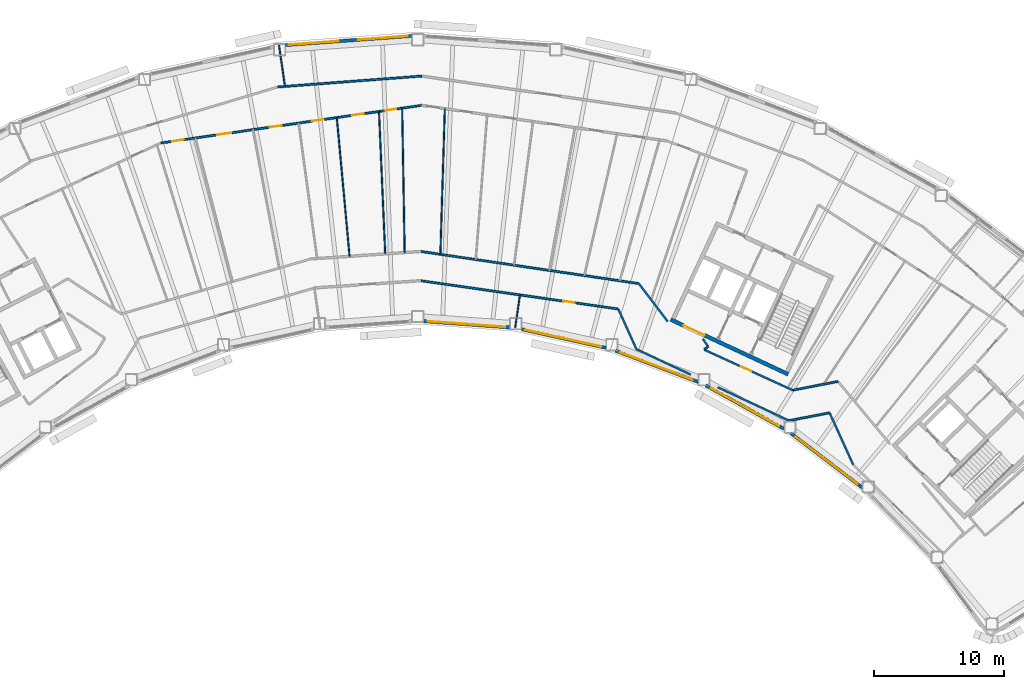
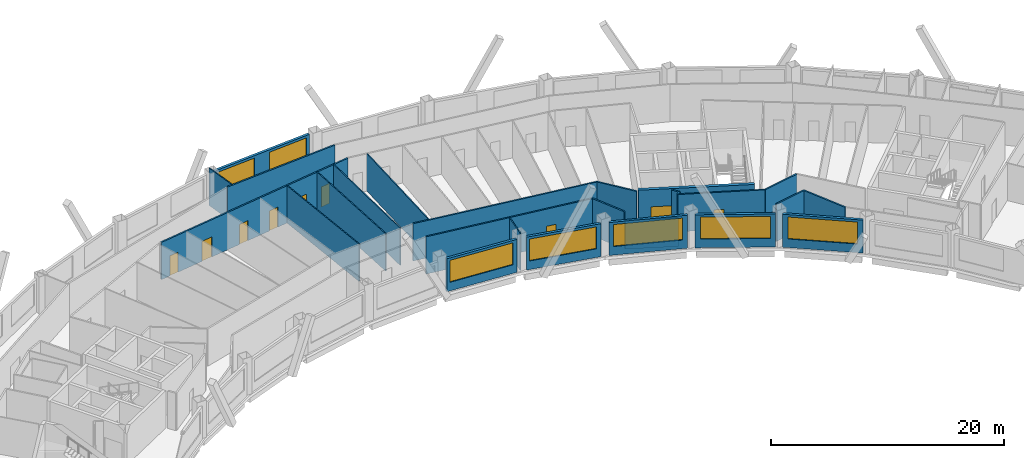
# One storey, part 8 of 15: 27 walls, 9 doors, 7 windows, 16 openings.
"""IFC4 building model written with IfcOpenShell, lengths in metres."""

import ifcopenshell
import ifcopenshell.guid

model = None  # the IFC model being written
_history = None  # IfcOwnerHistory: only IFC2X3 demands one
_inside = {}  # id of a spatial element -> (the spatial element, [elements in it])
_under = {}  # id of a project, library or spatial element -> (it, [spatial elements below it])
_declared = {}  # id of a project -> (the project, [libraries it declares])
_typed = {}  # id of a type object -> (the type object, [elements of that type])
_made_of = {}  # id of a material, layer set ... -> (it, [elements and type objects made of it])


def new_model(schema):
    """Start an empty IFC model of exactly this schema.

    Asked for "IFC4X3", IfcOpenShell would pick the latest addendum, in which some entities
    have other attributes; the version numbers below select the first issue.
    IFC2X3 requires an IfcOwnerHistory on every rooted entity: one is made here for all.
    """
    global model, _history
    if schema == "IFC4X3":
        model = ifcopenshell.file(schema_version=(4, 3, 0, 0))
    else:
        model = ifcopenshell.file(schema=schema)
    _inside.clear()
    _under.clear()
    _declared.clear()
    _typed.clear()
    _made_of.clear()
    _history = None
    if model.schema == "IFC2X3":
        org = make("IfcOrganization", Name="unknown")
        user = make(
            "IfcPersonAndOrganization",
            ThePerson=make("IfcPerson", FamilyName="unknown"),
            TheOrganization=org,
        )
        app = make(
            "IfcApplication",
            ApplicationDeveloper=org,
            Version="unknown",
            ApplicationFullName="unknown",
            ApplicationIdentifier="unknown",
        )
        _history = make(
            "IfcOwnerHistory",
            OwningUser=user,
            OwningApplication=app,
            ChangeAction="ADDED",
            CreationDate=0,
        )
    return model


def make(cls, **values):
    """One entity of the class cls with the attributes given. An attribute that is None is left unset."""
    return model.create_entity(
        cls, **{name: value for name, value in values.items() if value is not None}
    )


def rooted(cls, **values):
    """An entity with a GlobalId (a new one), such as an element, a storey or a relation."""
    return make(cls, GlobalId=ifcopenshell.guid.new(), OwnerHistory=_history, **values)


def si_unit(unit_type, name, prefix=None):
    """IfcSIUnit, for example si_unit("LENGTHUNIT", "METRE", prefix="MILLI")."""
    return make("IfcSIUnit", UnitType=unit_type, Prefix=prefix, Name=name)


def assignment(units):
    """IfcUnitAssignment: the units of a project."""
    return None if units is None else make("IfcUnitAssignment", Units=units)


def point(xyz):
    """IfcCartesianPoint."""
    return None if xyz is None else make("IfcCartesianPoint", Coordinates=xyz)


def direction(xyz):
    """IfcDirection."""
    return None if xyz is None else make("IfcDirection", DirectionRatios=xyz)


def frame(location, z_axis=None, x_axis=None):
    """IfcAxis2Placement3D, a coordinate frame: its origin and axes. An axis left out is left unset."""
    return make(
        "IfcAxis2Placement3D",
        Location=point(location),
        Axis=direction(z_axis),
        RefDirection=direction(x_axis),
    )


def frame_2d(location, x_axis=None):
    """IfcAxis2Placement2D, a coordinate frame in the plane: its origin and x axis."""
    return make(
        "IfcAxis2Placement2D", Location=point(location), RefDirection=direction(x_axis)
    )


def origin():
    """The frame at (0, 0, 0) with its axes left unset."""
    return frame((0.0, 0.0, 0.0))


def place(relative_to, where):
    """IfcLocalPlacement: puts the frame where relative to a parent placement (None: the world)."""
    return make(
        "IfcLocalPlacement", PlacementRelTo=relative_to, RelativePlacement=where
    )


def context(
    kind, dimensions, precision=None, world=None, true_north=None, identifier=None
):
    """IfcGeometricRepresentationContext, for example the 3D "Model" context."""
    return make(
        "IfcGeometricRepresentationContext",
        ContextIdentifier=identifier,
        ContextType=kind,
        CoordinateSpaceDimension=dimensions,
        Precision=precision,
        WorldCoordinateSystem=world,
        TrueNorth=true_north,
    )


def subcontext(parent, identifier, kind, view, scale=None):
    """IfcGeometricRepresentationSubContext, for example "Body" below "Model"."""
    return make(
        "IfcGeometricRepresentationSubContext",
        ContextIdentifier=identifier,
        ContextType=kind,
        ParentContext=parent,
        TargetScale=scale,
        TargetView=view,
    )


def project(units=None, contexts=None):
    """IfcProject with its units and contexts."""
    return rooted(
        "IfcProject",
        Name="project",
        RepresentationContexts=contexts,
        UnitsInContext=assignment(units),
    )


def spatial(cls, under=None, at=None, **own):
    """A site, building, storey or space (cls), placed at a placement, below another one or the project."""
    s = rooted(cls, ObjectPlacement=at, **own)
    if under is not None:
        _under.setdefault(under.id(), (under, []))[1].append(s)
    return s


def profile(cls, at=None, kind="AREA", **sizes):
    """A parametric profile (cls). Its sizes go by their IFC names, for example OverallWidth=200.0."""
    return make(cls, ProfileType=kind, Position=at, **sizes)


def rectangle(**sizes):
    """IfcRectangleProfileDef."""
    return profile("IfcRectangleProfileDef", **sizes)


def extrude(swept, where, along, depth):
    """IfcExtrudedAreaSolid: the profile swept, set in the frame where, extruded along a direction by depth."""
    return make(
        "IfcExtrudedAreaSolid",
        SweptArea=swept,
        Position=where,
        ExtrudedDirection=direction(along),
        Depth=depth,
    )


def shape(context_of_items, identifier, shape_type, items):
    """IfcShapeRepresentation: the items that make up one representation, for example the "Body"."""
    return make(
        "IfcShapeRepresentation",
        ContextOfItems=context_of_items,
        RepresentationIdentifier=identifier,
        RepresentationType=shape_type,
        Items=items,
    )


def material(Name=None, Category=None):
    """IfcMaterial."""
    return make("IfcMaterial", Name=Name, Category=Category)


def layer(
    of_material, thickness, ventilated=None, Name=None, Category=None, Priority=None
):
    """IfcMaterialLayer: one layer of a wall or slab, of a material (None: an air gap)."""
    return make(
        "IfcMaterialLayer",
        Material=of_material,
        LayerThickness=thickness,
        IsVentilated=ventilated,
        Name=Name,
        Category=Category,
        Priority=Priority,
    )


def layer_set(layers, Name=None):
    """IfcMaterialLayerSet."""
    return make("IfcMaterialLayerSet", MaterialLayers=layers, LayerSetName=Name)


def made_of(thing, what):
    """Note that an element or type object is made of a material, layer set ...; save() writes the relation."""
    if what is not None:
        _made_of.setdefault(what.id(), (what, []))[1].append(thing)
    return thing


def type_object(cls, material=None, **own):
    """A type object (cls), such as IfcWallType, which elements share."""
    return made_of(rooted(cls, **own), material)


def element(
    cls,
    number,
    at=None,
    inside=None,
    cuts=None,
    type_object=None,
    material=None,
    context=None,
    identifier="Body",
    shape_type=None,
    held_by="IfcProductDefinitionShape",
    body=None,
    shapes=None,
    **own,
):
    """One element of the class cls, such as IfcWall. Its Tag is "e" and its number.

    at: its placement. inside: the storey or other place that contains it. cuts: it is an
    opening in that element (IfcRelVoidsElement). A single representation is given by context,
    identifier, shape_type and body (its items); several are given by shapes. held_by: the class
    of the entity that holds the representations. save() writes the other relations.
    """
    e = rooted(cls, Tag="e%d" % number, ObjectPlacement=at, **own)
    if body is not None:
        shapes = [shape(context, identifier, shape_type, body)]
    if shapes is not None:
        e.Representation = make(held_by, Representations=shapes)
    if inside is not None:
        _inside.setdefault(inside.id(), (inside, []))[1].append(e)
    if cuts is not None:
        rooted(
            "IfcRelVoidsElement", RelatingBuildingElement=cuts, RelatedOpeningElement=e
        )
    if type_object is not None:
        _typed.setdefault(type_object.id(), (type_object, []))[1].append(e)
    return made_of(e, material)


def fill(opening, filler):
    """IfcRelFillsElement: the door or window that sits in an opening."""
    return rooted(
        "IfcRelFillsElement",
        RelatingOpeningElement=opening,
        RelatedBuildingElement=filler,
    )


def aggregate(whole, parts):
    """IfcRelAggregates: a whole, such as a stair, and the parts it consists of."""
    return rooted("IfcRelAggregates", RelatingObject=whole, RelatedObjects=parts)


def save(model, path):
    """Write the relations noted so far, then the file.

    IfcRelAggregates (storeys below a building ...), IfcRelContainedInSpatialStructure (elements
    in a storey), IfcRelDefinesByType, IfcRelAssociatesMaterial and IfcRelDeclares: one each for
    every whole, place, type object, material and project.
    """
    for whole, parts in _under.values():
        aggregate(whole, parts)
    for where, things in _inside.values():
        rooted(
            "IfcRelContainedInSpatialStructure",
            RelatedElements=things,
            RelatingStructure=where,
        )
    for kind, things in _typed.values():
        rooted("IfcRelDefinesByType", RelatedObjects=things, RelatingType=kind)
    for what, things in _made_of.values():
        rooted("IfcRelAssociatesMaterial", RelatedObjects=things, RelatingMaterial=what)
    for by, libraries in _declared.values():
        rooted("IfcRelDeclares", RelatingContext=by, RelatedDefinitions=libraries)
    model.write(path)


model = new_model("IFC4")

# Units and contexts
model_context = context("Model", 3, precision=1e-05, world=origin(), true_north=direction((0.0, 1.0)))
body_context = subcontext(model_context, "Body", "Model", "MODEL_VIEW")
ifc_project = project(units=[si_unit("LENGTHUNIT", "METRE"), si_unit("AREAUNIT", "SQUARE_METRE"), si_unit("VOLUMEUNIT", "CUBIC_METRE"), si_unit("PLANEANGLEUNIT", "RADIAN"), si_unit("MASSUNIT", "GRAM", prefix="KILO")], contexts=[model_context])

# Site, building, storey
site_placement = place(None, origin())
site = spatial("IfcSite", under=ifc_project, at=site_placement, CompositionType="ELEMENT")
building_placement = place(site_placement, origin())
building = spatial("IfcBuilding", under=site, at=building_placement, Name="Tuul Gate Civic Tower", CompositionType="ELEMENT")
storey_placement = place(building_placement, frame((0.0, 0.0, 226.300048828125)))
storey = spatial("IfcBuildingStorey", under=building, at=storey_placement, Name="Level 51", CompositionType="ELEMENT", Elevation=226.300048828125)

# Wall, opening, door
ifc_material_1 = material(Name="Concrete C50/60", Category="concrete")
ifc_layer_1 = layer(ifc_material_1, 0.300048828125)
ifc_layer_set_1 = layer_set([ifc_layer_1], Name="Concrete C50/60")
wall_type_1 = type_object("IfcWallType", Name="Core wall C50/60", PredefinedType="SHEAR", material=ifc_layer_set_1)
wall_1_placement = place(storey_placement, frame((34.5283203125, -7.25, 0.0), z_axis=(0.0, 0.0, 1.0), x_axis=(-0.906310338845, 0.422612789327, 0.0)))
wall_1 = element("IfcWall", 1, at=wall_1_placement, inside=storey, type_object=wall_type_1, Name="Core wall", PredefinedType="SHEAR", context=body_context, shape_type="SweptSolid", body=[
    extrude(rectangle(XDim=9.999755859375, YDim=0.300048828125, at=frame_2d((5.0, 0.0))), origin(), (0.0, 0.0, 1.0), 3.89990234375),
])
opening_1_placement = place(wall_1_placement, frame((7.125, 0.0, 0.0)))
opening_1 = element("IfcOpeningElement", 2, at=opening_1_placement, cuts=wall_1, Name="Opening LB-E3-LOBBY-1", PredefinedType="OPENING", context=body_context, shape_type="SweptSolid", body=[
    extrude(rectangle(XDim=1.800048828125, YDim=2.10009765625, at=frame_2d((0.89990234375, 1.050048828125))), frame((0.0, 0.16015625, 0.0), z_axis=(0.0, -1.0, 0.0), x_axis=(1.0, 0.0, 0.0)), (0.0, 0.0, 1.0), 0.320068359375),
])
ifc_material_2 = material(Name="Steel", Category="steel")
door_type_1 = type_object("IfcDoorType", Name="Lobby door", OperationType="DOUBLE_DOOR_SINGLE_SWING", PredefinedType="DOOR", material=ifc_material_2)
door_1_placement = place(opening_1_placement, frame((1.800048828125, 0.0, 0.0), z_axis=(0.0, 0.0, 1.0), x_axis=(-1.0, 0.0, 0.0)))
door_1 = element("IfcDoor", 3, at=door_1_placement, inside=storey, type_object=door_type_1, Name="Lobby door E3-LOBBY", OperationType="DOUBLE_DOOR_SINGLE_SWING", OverallHeight=2.10009765625, OverallWidth=1.800048828125, PredefinedType="DOOR", context=body_context, shape_type="SweptSolid", body=[
    extrude(rectangle(XDim=1.800048828125, YDim=2.10009765625, at=frame_2d((0.900146484375, 1.050048828125))), frame((0.0, 0.02490234375, 0.0), z_axis=(0.0, -1.0, 0.0), x_axis=(1.0, 0.0, 0.0)), (0.0, 0.0, 1.0), 0.050048828125),
])
fill(opening_1, door_1)

# Walls
ifc_material_3 = material(Name="Gypsum board partition")
ifc_layer_2 = layer(ifc_material_3, 0.14990234375)
ifc_layer_set_2 = layer_set([ifc_layer_2], Name="Gypsum board partition")
wall_type_2 = type_object("IfcWallType", Name="Corridor wall P150", PredefinedType="PARTITIONING", material=ifc_layer_set_2)
wall_2_placement = place(storey_placement, frame((-4.85888671875, 14.919677734375, 0.0), z_axis=(0.0, 0.0, 1.0), x_axis=(0.997140910872, 0.075564567521, 0.0)))
element("IfcWall", 4, at=wall_2_placement, inside=storey, type_object=wall_type_2, Name="p011", PredefinedType="PARTITIONING", context=body_context, shape_type="SweptSolid", body=[
    extrude(rectangle(XDim=11.133544921875, YDim=0.14990234375, at=frame_2d((5.56689453125, 0.0))), origin(), (0.0, 0.0, 1.0), 3.89990234375),
])
wall_3_placement = place(storey_placement, frame((34.597900390625, -10.8232421875, 0.0), z_axis=(0.0, 0.0, 1.0), x_axis=(0.981761729648, 0.190115507518, 0.0)))
element("IfcWall", 5, at=wall_3_placement, inside=storey, type_object=wall_type_2, Name="p029", PredefinedType="PARTITIONING", context=body_context, shape_type="SweptSolid", body=[
    extrude(rectangle(XDim=3.162841796875, YDim=0.14990234375, at=frame_2d((1.58154296875, 0.0))), origin(), (0.0, 0.0, 1.0), 3.89990234375),
])
wall_4_placement = place(storey_placement, frame((37.725830078125, -10.233642578125, 0.0), z_axis=(0.0, 0.0, 1.0), x_axis=(0.414462049887, -0.910066596027, 0.0)))
element("IfcWall", 6, at=wall_4_placement, inside=storey, type_object=wall_type_2, Name="p030", PredefinedType="PARTITIONING", context=body_context, shape_type="SweptSolid", body=[
    extrude(rectangle(XDim=4.380859375, YDim=0.14990234375, at=frame_2d((2.1904296875, 0.0))), origin(), (0.0, 0.0, 1.0), 3.89990234375),
])

# Wall, opening, door
wall_5_placement = place(storey_placement, frame((6.18603515625, -0.026123046875, 0.0), z_axis=(0.0, 0.0, 1.0), x_axis=(0.989879513226, -0.141910356546, 0.0)))
wall_5 = element("IfcWall", 7, at=wall_5_placement, inside=storey, type_object=wall_type_2, Name="p034", PredefinedType="PARTITIONING", context=body_context, shape_type="SweptSolid", body=[
    extrude(rectangle(XDim=15.376708984375, YDim=0.14990234375, at=frame_2d((7.6884765625, 0.0))), origin(), (0.0, 0.0, 1.0), 3.89990234375),
])
opening_2_placement = place(wall_5_placement, frame((11.101806640625, 0.0, 0.0)))
opening_2 = element("IfcOpeningElement", 8, at=opening_2_placement, cuts=wall_5, Name="Opening R-D08", PredefinedType="OPENING", context=body_context, shape_type="SweptSolid", body=[
    extrude(rectangle(XDim=0.89990234375, YDim=2.10009765625, at=frame_2d((0.449951171875, 1.050048828125))), frame((0.0, 0.0849609375, 0.0), z_axis=(0.0, -1.0, 0.0), x_axis=(1.0, 0.0, 0.0)), (0.0, 0.0, 1.0), 0.169921875),
])
ifc_material_4 = material(Name="Timber door leaf", Category="wood")
door_type_2 = type_object("IfcDoorType", Name="Door D09", OperationType="NOTDEFINED", PredefinedType="DOOR", material=ifc_material_4)
door_2_placement = place(opening_2_placement, frame((0.89990234375, 0.0, 0.0), z_axis=(0.0, 0.0, 1.0), x_axis=(-1.0, 0.0, 0.0)))
door_2 = element("IfcDoor", 9, at=door_2_placement, inside=storey, type_object=door_type_2, Name="Door R-D08", OperationType="SINGLE_SWING_LEFT", OverallHeight=2.10009765625, OverallWidth=0.89990234375, PredefinedType="DOOR", context=body_context, shape_type="SweptSolid", body=[
    extrude(rectangle(XDim=0.89990234375, YDim=2.10009765625, at=frame_2d((0.449951171875, 1.050048828125))), frame((0.0, 0.02490234375, 0.0), z_axis=(0.0, -1.0, 0.0), x_axis=(1.0, 0.0, 0.0)), (0.0, 0.0, 1.0), 0.050048828125),
])
fill(opening_2, door_2)

# Walls
wall_6_placement = place(storey_placement, frame((21.42333984375, -2.220458984375, 0.0), z_axis=(0.0, 0.0, 1.0), x_axis=(0.411432485151, -0.911440239491, 0.0)))
element("IfcWall", 10, at=wall_6_placement, inside=storey, type_object=wall_type_2, Name="p035", PredefinedType="PARTITIONING", context=body_context, shape_type="SweptSolid", body=[
    extrude(rectangle(XDim=3.39306640625, YDim=0.14990234375, at=frame_2d((1.696533203125, 0.0))), origin(), (0.0, 0.0, 1.0), 3.89990234375),
])
wall_7_placement = place(storey_placement, frame((34.884521484375, -8.47607421875, 0.0), z_axis=(0.0, 0.0, 1.0), x_axis=(0.981755019351, 0.190150156398, 0.0)))
element("IfcWall", 11, at=wall_7_placement, inside=storey, type_object=wall_type_2, Name="p054", PredefinedType="PARTITIONING", context=body_context, shape_type="SweptSolid", body=[
    extrude(rectangle(XDim=3.55126953125, YDim=0.14990234375, at=frame_2d((1.775634765625, 0.0))), origin(), (0.0, 0.0, 1.0), 3.89990234375),
])

# Wall, opening, door
wall_8_placement = place(storey_placement, frame((28.0576171875, -5.3544921875, 0.0), z_axis=(0.0, 0.0, 1.0), x_axis=(0.909226191129, -0.41630245419, 0.0)))
wall_8 = element("IfcWall", 12, at=wall_8_placement, inside=storey, type_object=wall_type_2, Name="p056", PredefinedType="PARTITIONING", context=body_context, shape_type="SweptSolid", body=[
    extrude(rectangle(XDim=7.494140625, YDim=0.14990234375, at=frame_2d((3.7470703125, 0.0))), origin(), (0.0, 0.0, 1.0), 3.89990234375),
])
opening_3_placement = place(wall_8_placement, frame((3.0830078125, 0.0, 0.0)))
opening_3 = element("IfcOpeningElement", 13, at=opening_3_placement, cuts=wall_8, Name="Opening R-D16", PredefinedType="OPENING", context=body_context, shape_type="SweptSolid", body=[
    extrude(rectangle(XDim=0.89990234375, YDim=2.10009765625, at=frame_2d((0.449951171875, 1.050048828125))), frame((0.0, 0.0849609375, 0.0), z_axis=(0.0, -1.0, 0.0), x_axis=(1.0, 0.0, 0.0)), (0.0, 0.0, 1.0), 0.169921875),
])
door_3_placement = place(opening_3_placement, frame((0.89990234375, 0.0, 0.0), z_axis=(0.0, 0.0, 1.0), x_axis=(-1.0, 0.0, 0.0)))
door_3 = element("IfcDoor", 14, at=door_3_placement, inside=storey, type_object=door_type_2, Name="Door R-D16", OperationType="SINGLE_SWING_LEFT", OverallHeight=2.10009765625, OverallWidth=0.89990234375, PredefinedType="DOOR", context=body_context, shape_type="SweptSolid", body=[
    extrude(rectangle(XDim=0.89990234375, YDim=2.10009765625, at=frame_2d((0.449951171875, 1.050048828125))), frame((0.0, 0.02490234375, 0.0), z_axis=(0.0, -1.0, 0.0), x_axis=(1.0, 0.0, 0.0)), (0.0, 0.0, 1.0), 0.050048828125),
])
fill(opening_3, door_3)

# Walls
wall_9_placement = place(storey_placement, frame((28.054443359375, -5.3193359375, 0.0), z_axis=(0.0, 0.0, 1.0), x_axis=(0.823709335363, 0.567012284554, 0.0)))
element("IfcWall", 15, at=wall_9_placement, inside=storey, type_object=wall_type_2, Name="p057", PredefinedType="PARTITIONING", context=body_context, shape_type="SweptSolid", body=[
    extrude(rectangle(XDim=0.3642578125, YDim=0.14990234375, at=frame_2d((0.18212890625, 0.0))), origin(), (0.0, 0.0, 1.0), 3.89990234375),
])
wall_10_placement = place(storey_placement, frame((27.939697265625, -4.50927734375, 0.0), z_axis=(0.0, 0.0, 1.0), x_axis=(0.567265005599, -0.823535314011, 0.0)))
element("IfcWall", 16, at=wall_10_placement, inside=storey, type_object=wall_type_2, Name="p058", PredefinedType="PARTITIONING", context=body_context, shape_type="SweptSolid", body=[
    extrude(rectangle(XDim=0.731689453125, YDim=0.14990234375, at=frame_2d((0.36572265625, 0.0))), origin(), (0.0, 0.0, 1.0), 3.89990234375),
])
wall_11_placement = place(storey_placement, frame((23.0029296875, -0.25048828125, 0.0), z_axis=(0.0, 0.0, 1.0), x_axis=(0.606509713776, -0.795076076294, 0.0)))
element("IfcWall", 17, at=wall_11_placement, inside=storey, type_object=wall_type_2, Name="p063", PredefinedType="PARTITIONING", context=body_context, shape_type="SweptSolid", body=[
    extrude(rectangle(XDim=3.673095703125, YDim=0.14990234375, at=frame_2d((1.83642578125, 0.0))), origin(), (0.0, 0.0, 1.0), 3.89990234375),
])
wall_12_placement = place(storey_placement, frame((6.18896484375, 2.2294921875, 0.0), z_axis=(0.0, 0.0, 1.0), x_axis=(0.98930158276, -0.145884811921, 0.0)))
element("IfcWall", 18, at=wall_12_placement, inside=storey, type_object=wall_type_2, Name="p066", PredefinedType="PARTITIONING", context=body_context, shape_type="SweptSolid", body=[
    extrude(rectangle(XDim=16.99462890625, YDim=0.14990234375, at=frame_2d((8.497314453125, 0.0))), origin(), (0.0, 0.0, 1.0), 3.89990234375),
])

# Wall, openings, doors
wall_13_placement = place(storey_placement, frame((-13.8857421875, 10.595947265625, 0.0), z_axis=(0.0, 0.0, 1.0), x_axis=(0.989722071507, 0.143004269765, 0.0)))
wall_13 = element("IfcWall", 19, at=wall_13_placement, inside=storey, type_object=wall_type_2, Name="p073", PredefinedType="PARTITIONING", context=body_context, shape_type="SweptSolid", body=[
    extrude(rectangle(XDim=20.338134765625, YDim=0.14990234375, at=frame_2d((10.1689453125, 0.0))), origin(), (0.0, 0.0, 1.0), 3.89990234375),
])
opening_4_placement = place(wall_13_placement, frame((17.46826171875, 0.0, 0.0)))
opening_4 = element("IfcOpeningElement", 20, at=opening_4_placement, cuts=wall_13, Name="Opening R-D25", PredefinedType="OPENING", context=body_context, shape_type="SweptSolid", body=[
    extrude(rectangle(XDim=0.89990234375, YDim=2.10009765625, at=frame_2d((0.449951171875, 1.050048828125))), frame((0.0, 0.0849609375, 0.0), z_axis=(0.0, -1.0, 0.0), x_axis=(1.0, 0.0, 0.0)), (0.0, 0.0, 1.0), 0.169921875),
])
opening_5_placement = place(wall_13_placement, frame((14.921875, 0.0, 0.0)))
opening_5 = element("IfcOpeningElement", 21, at=opening_5_placement, cuts=wall_13, Name="Opening R-D26", PredefinedType="OPENING", context=body_context, shape_type="SweptSolid", body=[
    extrude(rectangle(XDim=0.89990234375, YDim=2.10009765625, at=frame_2d((0.449951171875, 1.050048828125))), frame((0.0, 0.0849609375, 0.0), z_axis=(0.0, -1.0, 0.0), x_axis=(1.0, 0.0, 0.0)), (0.0, 0.0, 1.0), 0.169921875),
])
opening_6_placement = place(wall_13_placement, frame((11.791015625, 0.0, 0.0)))
opening_6 = element("IfcOpeningElement", 22, at=opening_6_placement, cuts=wall_13, Name="Opening R-D27", PredefinedType="OPENING", context=body_context, shape_type="SweptSolid", body=[
    extrude(rectangle(XDim=0.89990234375, YDim=2.10009765625, at=frame_2d((0.449951171875, 1.050048828125))), frame((0.0, 0.0849609375, 0.0), z_axis=(0.0, -1.0, 0.0), x_axis=(1.0, 0.0, 0.0)), (0.0, 0.0, 1.0), 0.169921875),
])
opening_7_placement = place(wall_13_placement, frame((8.5205078125, 0.0, 0.0)))
opening_7 = element("IfcOpeningElement", 23, at=opening_7_placement, cuts=wall_13, Name="Opening R-D28", PredefinedType="OPENING", context=body_context, shape_type="SweptSolid", body=[
    extrude(rectangle(XDim=0.89990234375, YDim=2.10009765625, at=frame_2d((0.449951171875, 1.050048828125))), frame((0.0, 0.0849609375, 0.0), z_axis=(0.0, -1.0, 0.0), x_axis=(1.0, 0.0, 0.0)), (0.0, 0.0, 1.0), 0.169921875),
])
opening_8_placement = place(wall_13_placement, frame((4.39501953125, 0.0, 0.0)))
opening_8 = element("IfcOpeningElement", 24, at=opening_8_placement, cuts=wall_13, Name="Opening R-D29", PredefinedType="OPENING", context=body_context, shape_type="SweptSolid", body=[
    extrude(rectangle(XDim=1.10009765625, YDim=2.10009765625, at=frame_2d((0.550048828125, 1.050048828125))), frame((0.0, 0.0849609375, 0.0), z_axis=(0.0, -1.0, 0.0), x_axis=(1.0, 0.0, 0.0)), (0.0, 0.0, 1.0), 0.169921875),
])
opening_9_placement = place(wall_13_placement, frame((0.9013671875, 0.0, 0.0)))
opening_9 = element("IfcOpeningElement", 25, at=opening_9_placement, cuts=wall_13, Name="Opening R-D30", PredefinedType="OPENING", context=body_context, shape_type="SweptSolid", body=[
    extrude(rectangle(XDim=0.89990234375, YDim=2.10009765625, at=frame_2d((0.449951171875, 1.050048828125))), frame((0.0, 0.0849609375, 0.0), z_axis=(0.0, -1.0, 0.0), x_axis=(1.0, 0.0, 0.0)), (0.0, 0.0, 1.0), 0.169921875),
])
door_4_placement = place(opening_4_placement, frame((0.89990234375, 0.0, 0.0), z_axis=(0.0, 0.0, 1.0), x_axis=(-1.0, 0.0, 0.0)))
door_4 = element("IfcDoor", 26, at=door_4_placement, inside=storey, type_object=door_type_2, Name="Door R-D25", OperationType="SINGLE_SWING_LEFT", OverallHeight=2.10009765625, OverallWidth=0.89990234375, PredefinedType="DOOR", context=body_context, shape_type="SweptSolid", body=[
    extrude(rectangle(XDim=0.89990234375, YDim=2.10009765625, at=frame_2d((0.449951171875, 1.050048828125))), frame((0.0, 0.02490234375, 0.0), z_axis=(0.0, -1.0, 0.0), x_axis=(1.0, 0.0, 0.0)), (0.0, 0.0, 1.0), 0.050048828125),
])
fill(opening_4, door_4)
door_5_placement = place(opening_5_placement, frame((0.89990234375, 0.0, 0.0), z_axis=(0.0, 0.0, 1.0), x_axis=(-1.0, 0.0, 0.0)))
door_5 = element("IfcDoor", 27, at=door_5_placement, inside=storey, type_object=door_type_2, Name="Door R-D26", OperationType="SINGLE_SWING_LEFT", OverallHeight=2.10009765625, OverallWidth=0.89990234375, PredefinedType="DOOR", context=body_context, shape_type="SweptSolid", body=[
    extrude(rectangle(XDim=0.89990234375, YDim=2.10009765625, at=frame_2d((0.449951171875, 1.050048828125))), frame((0.0, 0.02490234375, 0.0), z_axis=(0.0, -1.0, 0.0), x_axis=(1.0, 0.0, 0.0)), (0.0, 0.0, 1.0), 0.050048828125),
])
fill(opening_5, door_5)
door_6_placement = place(opening_6_placement, frame((0.89990234375, 0.0, 0.0), z_axis=(0.0, 0.0, 1.0), x_axis=(-1.0, 0.0, 0.0)))
door_6 = element("IfcDoor", 28, at=door_6_placement, inside=storey, type_object=door_type_2, Name="Door R-D27", OperationType="SINGLE_SWING_LEFT", OverallHeight=2.10009765625, OverallWidth=0.89990234375, PredefinedType="DOOR", context=body_context, shape_type="SweptSolid", body=[
    extrude(rectangle(XDim=0.89990234375, YDim=2.10009765625, at=frame_2d((0.449951171875, 1.050048828125))), frame((0.0, 0.02490234375, 0.0), z_axis=(0.0, -1.0, 0.0), x_axis=(1.0, 0.0, 0.0)), (0.0, 0.0, 1.0), 0.050048828125),
])
fill(opening_6, door_6)
door_7_placement = place(opening_7_placement, frame((0.89990234375, 0.0, 0.0), z_axis=(0.0, 0.0, 1.0), x_axis=(-1.0, 0.0, 0.0)))
door_7 = element("IfcDoor", 29, at=door_7_placement, inside=storey, type_object=door_type_2, Name="Door R-D28", OperationType="SINGLE_SWING_LEFT", OverallHeight=2.10009765625, OverallWidth=0.89990234375, PredefinedType="DOOR", context=body_context, shape_type="SweptSolid", body=[
    extrude(rectangle(XDim=0.89990234375, YDim=2.10009765625, at=frame_2d((0.449951171875, 1.050048828125))), frame((0.0, 0.02490234375, 0.0), z_axis=(0.0, -1.0, 0.0), x_axis=(1.0, 0.0, 0.0)), (0.0, 0.0, 1.0), 0.050048828125),
])
fill(opening_7, door_7)
door_8_placement = place(opening_9_placement, frame((0.89990234375, 0.0, 0.0), z_axis=(0.0, 0.0, 1.0), x_axis=(-1.0, 0.0, 0.0)))
door_8 = element("IfcDoor", 30, at=door_8_placement, inside=storey, type_object=door_type_2, Name="Door R-D30", OperationType="SINGLE_SWING_LEFT", OverallHeight=2.10009765625, OverallWidth=0.89990234375, PredefinedType="DOOR", context=body_context, shape_type="SweptSolid", body=[
    extrude(rectangle(XDim=0.89990234375, YDim=2.10009765625, at=frame_2d((0.449951171875, 1.050048828125))), frame((0.0, 0.02490234375, 0.0), z_axis=(0.0, -1.0, 0.0), x_axis=(1.0, 0.0, 0.0)), (0.0, 0.0, 1.0), 0.050048828125),
])
fill(opening_9, door_8)
ifc_material_5 = material(Name="Timber door leaf", Category="wood")
door_type_3 = type_object("IfcDoorType", Name="Door D11", OperationType="NOTDEFINED", PredefinedType="DOOR", material=ifc_material_5)
door_9_placement = place(opening_8_placement, frame((1.10009765625, 0.0, 0.0), z_axis=(0.0, 0.0, 1.0), x_axis=(-1.0, 0.0, 0.0)))
door_9 = element("IfcDoor", 31, at=door_9_placement, inside=storey, type_object=door_type_3, Name="Door R-D29", OperationType="SINGLE_SWING_LEFT", OverallHeight=2.10009765625, OverallWidth=1.10009765625, PredefinedType="DOOR", context=body_context, shape_type="SweptSolid", body=[
    extrude(rectangle(XDim=1.10009765625, YDim=2.10009765625, at=frame_2d((0.550048828125, 1.050048828125))), frame((0.0, 0.02490234375, 0.0), z_axis=(0.0, -1.0, 0.0), x_axis=(1.0, 0.0, 0.0)), (0.0, 0.0, 1.0), 0.050048828125),
])
fill(opening_8, door_9)

# Walls
ifc_material_6 = material(Name="Gypsum board partition")
ifc_layer_3 = layer(ifc_material_6, 0.14990234375)
ifc_layer_set_3 = layer_set([ifc_layer_3], Name="Gypsum board partition")
wall_type_3 = type_object("IfcWallType", Name="Corridor wall P150 3000 HIGH", PredefinedType="PARTITIONING", material=ifc_layer_set_3)
wall_14_placement = place(storey_placement, frame((22.8203125, -5.31396484375, 0.0), z_axis=(0.0, 0.0, 1.0), x_axis=(0.905781382959, -0.423745308274, 0.0)))
element("IfcWall", 32, at=wall_14_placement, inside=storey, type_object=wall_type_3, Name="p027", PredefinedType="PARTITIONING", context=body_context, shape_type="SweptSolid", body=[
    extrude(rectangle(XDim=4.615478515625, YDim=0.14990234375, at=frame_2d((2.3076171875, 0.0))), origin(), (0.0, 0.0, 1.0), 3.0),
])
wall_15_placement = place(storey_placement, frame((29.090576171875, -8.247314453125, 0.0), z_axis=(0.0, 0.0, 1.0), x_axis=(0.905771253241, -0.423766960489, 0.0)))
element("IfcWall", 33, at=wall_15_placement, inside=storey, type_object=wall_type_3, Name="p028", PredefinedType="PARTITIONING", context=body_context, shape_type="SweptSolid", body=[
    extrude(rectangle(XDim=6.07861328125, YDim=0.14990234375, at=frame_2d((3.039306640625, 0.0))), origin(), (0.0, 0.0, 1.0), 3.0),
])

# Wall, openings, windows
ifc_material_7 = material(Name="Precast concrete C40/50", Category="concrete")
ifc_layer_4 = layer(ifc_material_7, 0.25)
ifc_layer_set_4 = layer_set([ifc_layer_4], Name="Precast concrete C40/50")
wall_type_4 = type_object("IfcWallType", Name="External wall", PredefinedType="STANDARD", material=ifc_layer_set_4)
wall_16_placement = place(storey_placement, frame((5.489990234375, 18.859130859375, 0.0), z_axis=(0.0, 0.0, 1.0), x_axis=(-0.997381037504, -0.07232610889, 0.0)))
wall_16 = element("IfcWall", 34, at=wall_16_placement, inside=storey, type_object=wall_type_4, Name="External wall", PredefinedType="STANDARD", context=body_context, shape_type="SweptSolid", body=[
    extrude(rectangle(XDim=9.775634765625, YDim=0.25, at=frame_2d((4.8876953125, 0.0))), origin(), (0.0, 0.0, 1.0), 3.449951171875),
])
opening_10_placement = place(wall_16_placement, frame((0.300537109375, 0.0, 0.89990234375)))
opening_10 = element("IfcOpeningElement", 35, at=opening_10_placement, cuts=wall_16, Name="Opening W22", PredefinedType="OPENING", context=body_context, shape_type="SweptSolid", body=[
    extrude(rectangle(XDim=3.85009765625, YDim=2.300048828125, at=frame_2d((1.925048828125, 1.14990234375))), frame((0.0, 0.135009765625, 0.0), z_axis=(0.0, -1.0, 0.0), x_axis=(1.0, 0.0, 0.0)), (0.0, 0.0, 1.0), 0.27001953125),
])
opening_11_placement = place(wall_16_placement, frame((5.672119140625, 0.0, 0.89990234375)))
opening_11 = element("IfcOpeningElement", 36, at=opening_11_placement, cuts=wall_16, Name="Opening W22", PredefinedType="OPENING", context=body_context, shape_type="SweptSolid", body=[
    extrude(rectangle(XDim=3.85009765625, YDim=2.300048828125, at=frame_2d((1.925048828125, 1.14990234375))), frame((0.0, 0.135009765625, 0.0), z_axis=(0.0, -1.0, 0.0), x_axis=(1.0, 0.0, 0.0)), (0.0, 0.0, 1.0), 0.27001953125),
])
ifc_material_8 = material(Name="Glass", Category="glass")
window_type_1 = type_object("IfcWindowType", Name="Window W22 3850 x 2300", PartitioningType="SINGLE_PANEL", PredefinedType="WINDOW", material=ifc_material_8)
window_1_placement = place(opening_10_placement, origin())
window_1 = element("IfcWindow", 37, at=window_1_placement, inside=storey, type_object=window_type_1, Name="Window", OverallHeight=2.300048828125, OverallWidth=3.85009765625, PartitioningType="SINGLE_PANEL", PredefinedType="WINDOW", context=body_context, shape_type="SweptSolid", body=[
    extrude(rectangle(XDim=3.85009765625, YDim=2.300048828125, at=frame_2d((1.925048828125, 1.14990234375))), frame((0.0, 0.030029296875, 0.0), z_axis=(0.0, -1.0, 0.0), x_axis=(1.0, 0.0, 0.0)), (0.0, 0.0, 1.0), 0.06005859375),
])
fill(opening_10, window_1)
window_2_placement = place(opening_11_placement, origin())
window_2 = element("IfcWindow", 38, at=window_2_placement, inside=storey, type_object=window_type_1, Name="Window", OverallHeight=2.300048828125, OverallWidth=3.85009765625, PartitioningType="SINGLE_PANEL", PredefinedType="WINDOW", context=body_context, shape_type="SweptSolid", body=[
    extrude(rectangle(XDim=3.85009765625, YDim=2.300048828125, at=frame_2d((1.925048828125, 1.14990234375))), frame((0.0, 0.030029296875, 0.0), z_axis=(0.0, -1.0, 0.0), x_axis=(1.0, 0.0, 0.0)), (0.0, 0.0, 1.0), 0.06005859375),
])
fill(opening_11, window_2)

# Wall, opening, window
wall_17_placement = place(storey_placement, frame((6.389892578125, -3.149169921875, 0.0), z_axis=(0.0, 0.0, 1.0), x_axis=(0.99739363413, -0.072152190518, 0.0)))
wall_17 = element("IfcWall", 39, at=wall_17_placement, inside=storey, type_object=wall_type_4, Name="External wall", PredefinedType="STANDARD", context=body_context, shape_type="SweptSolid", body=[
    extrude(rectangle(XDim=6.689453125, YDim=0.25, at=frame_2d((3.3447265625, 0.0))), origin(), (0.0, 0.0, 1.0), 3.449951171875),
])
opening_12_placement = place(wall_17_placement, frame((0.3212890625, 0.0, 0.89990234375)))
opening_12 = element("IfcOpeningElement", 40, at=opening_12_placement, cuts=wall_17, Name="Opening W26", PredefinedType="OPENING", context=body_context, shape_type="SweptSolid", body=[
    extrude(rectangle(XDim=6.0, YDim=2.300048828125, at=frame_2d((3.0, 1.14990234375))), frame((0.0, 0.135009765625, 0.0), z_axis=(0.0, -1.0, 0.0), x_axis=(1.0, 0.0, 0.0)), (0.0, 0.0, 1.0), 0.27001953125),
])
ifc_material_9 = material(Name="Glass", Category="glass")
window_type_2 = type_object("IfcWindowType", Name="Window W26 6000 x 2300", PartitioningType="SINGLE_PANEL", PredefinedType="WINDOW", material=ifc_material_9)
window_3_placement = place(opening_12_placement, origin())
window_3 = element("IfcWindow", 41, at=window_3_placement, inside=storey, type_object=window_type_2, Name="Window", OverallHeight=2.300048828125, OverallWidth=6.0, PartitioningType="SINGLE_PANEL", PredefinedType="WINDOW", context=body_context, shape_type="SweptSolid", body=[
    extrude(rectangle(XDim=6.0, YDim=2.300048828125, at=frame_2d((3.0, 1.14990234375))), frame((0.0, 0.030029296875, 0.0), z_axis=(0.0, -1.0, 0.0), x_axis=(1.0, 0.0, 0.0)), (0.0, 0.0, 1.0), 0.06005859375),
])
fill(opening_12, window_3)

wall_18_placement = place(storey_placement, frame((13.9619140625, -3.7705078125, 0.0), z_axis=(0.0, 0.0, 1.0), x_axis=(0.976561126712, -0.215240251333, 0.0)))
wall_18 = element("IfcWall", 42, at=wall_18_placement, inside=storey, type_object=wall_type_4, Name="External wall", PredefinedType="STANDARD", context=body_context, shape_type="SweptSolid", body=[
    extrude(rectangle(XDim=6.66943359375, YDim=0.25, at=frame_2d((3.334716796875, 0.0))), origin(), (0.0, 0.0, 1.0), 3.449951171875),
])
opening_13_placement = place(wall_18_placement, frame((0.263427734375, 0.0, 0.89990234375)))
opening_13 = element("IfcOpeningElement", 43, at=opening_13_placement, cuts=wall_18, Name="Opening W26", PredefinedType="OPENING", context=body_context, shape_type="SweptSolid", body=[
    extrude(rectangle(XDim=6.0, YDim=2.300048828125, at=frame_2d((3.0, 1.14990234375))), frame((0.0, 0.135009765625, 0.0), z_axis=(0.0, -1.0, 0.0), x_axis=(1.0, 0.0, 0.0)), (0.0, 0.0, 1.0), 0.27001953125),
])
window_4_placement = place(opening_13_placement, origin())
window_4 = element("IfcWindow", 44, at=window_4_placement, inside=storey, type_object=window_type_2, Name="Window", OverallHeight=2.300048828125, OverallWidth=6.0, PartitioningType="SINGLE_PANEL", PredefinedType="WINDOW", context=body_context, shape_type="SweptSolid", body=[
    extrude(rectangle(XDim=6.0, YDim=2.300048828125, at=frame_2d((3.0, 1.14990234375))), frame((0.0, 0.030029296875, 0.0), z_axis=(0.0, -1.0, 0.0), x_axis=(1.0, 0.0, 0.0)), (0.0, 0.0, 1.0), 0.06005859375),
])
fill(opening_13, window_4)

wall_19_placement = place(storey_placement, frame((21.197998046875, -5.423095703125, 0.0), z_axis=(0.0, 0.0, 1.0), x_axis=(0.935366308293, -0.353680462154, 0.0)))
wall_19 = element("IfcWall", 45, at=wall_19_placement, inside=storey, type_object=wall_type_4, Name="External wall", PredefinedType="STANDARD", context=body_context, shape_type="SweptSolid", body=[
    extrude(rectangle(XDim=6.818603515625, YDim=0.25, at=frame_2d((3.4091796875, 0.0))), origin(), (0.0, 0.0, 1.0), 3.449951171875),
])
opening_14_placement = place(wall_19_placement, frame((0.3818359375, 0.0, 0.89990234375)))
opening_14 = element("IfcOpeningElement", 46, at=opening_14_placement, cuts=wall_19, Name="Opening W26", PredefinedType="OPENING", context=body_context, shape_type="SweptSolid", body=[
    extrude(rectangle(XDim=6.0, YDim=2.300048828125, at=frame_2d((3.0, 1.14990234375))), frame((0.0, 0.135009765625, 0.0), z_axis=(0.0, -1.0, 0.0), x_axis=(1.0, 0.0, 0.0)), (0.0, 0.0, 1.0), 0.27001953125),
])
window_5_placement = place(opening_14_placement, origin())
window_5 = element("IfcWindow", 47, at=window_5_placement, inside=storey, type_object=window_type_2, Name="Window", OverallHeight=2.300048828125, OverallWidth=6.0, PartitioningType="SINGLE_PANEL", PredefinedType="WINDOW", context=body_context, shape_type="SweptSolid", body=[
    extrude(rectangle(XDim=6.0, YDim=2.300048828125, at=frame_2d((3.0, 1.14990234375))), frame((0.0, 0.030029296875, 0.0), z_axis=(0.0, -1.0, 0.0), x_axis=(1.0, 0.0, 0.0)), (0.0, 0.0, 1.0), 0.06005859375),
])
fill(opening_14, window_5)

wall_20_placement = place(storey_placement, frame((28.168701171875, -8.10791015625, 0.0), z_axis=(0.0, 0.0, 1.0), x_axis=(0.874623228644, -0.48480326723, 0.0)))
wall_20 = element("IfcWall", 48, at=wall_20_placement, inside=storey, type_object=wall_type_4, Name="External wall", PredefinedType="STANDARD", context=body_context, shape_type="SweptSolid", body=[
    extrude(rectangle(XDim=6.914306640625, YDim=0.25, at=frame_2d((3.45703125, 0.0))), origin(), (0.0, 0.0, 1.0), 3.449951171875),
])
opening_15_placement = place(wall_20_placement, frame((0.453369140625, 0.0, 0.89990234375)))
opening_15 = element("IfcOpeningElement", 49, at=opening_15_placement, cuts=wall_20, Name="Opening W26", PredefinedType="OPENING", context=body_context, shape_type="SweptSolid", body=[
    extrude(rectangle(XDim=6.0, YDim=2.300048828125, at=frame_2d((3.0, 1.14990234375))), frame((0.0, 0.135009765625, 0.0), z_axis=(0.0, -1.0, 0.0), x_axis=(1.0, 0.0, 0.0)), (0.0, 0.0, 1.0), 0.27001953125),
])
window_6_placement = place(opening_15_placement, origin())
window_6 = element("IfcWindow", 50, at=window_6_placement, inside=storey, type_object=window_type_2, Name="Window", OverallHeight=2.300048828125, OverallWidth=6.0, PartitioningType="SINGLE_PANEL", PredefinedType="WINDOW", context=body_context, shape_type="SweptSolid", body=[
    extrude(rectangle(XDim=6.0, YDim=2.300048828125, at=frame_2d((3.0, 1.14990234375))), frame((0.0, 0.030029296875, 0.0), z_axis=(0.0, -1.0, 0.0), x_axis=(1.0, 0.0, 0.0)), (0.0, 0.0, 1.0), 0.06005859375),
])
fill(opening_15, window_6)

wall_21_placement = place(storey_placement, frame((34.72216796875, -11.7890625, 0.0), z_axis=(0.0, 0.0, 1.0), x_axis=(0.795585585463, -0.605841213688, 0.0)))
wall_21 = element("IfcWall", 51, at=wall_21_placement, inside=storey, type_object=wall_type_4, Name="External wall", PredefinedType="STANDARD", context=body_context, shape_type="SweptSolid", body=[
    extrude(rectangle(XDim=6.955810546875, YDim=0.25, at=frame_2d((3.47802734375, 0.0))), origin(), (0.0, 0.0, 1.0), 3.449951171875),
])
opening_16_placement = place(wall_21_placement, frame((0.478759765625, 0.0, 0.89990234375)))
opening_16 = element("IfcOpeningElement", 52, at=opening_16_placement, cuts=wall_21, Name="Opening W26", PredefinedType="OPENING", context=body_context, shape_type="SweptSolid", body=[
    extrude(rectangle(XDim=6.0, YDim=2.300048828125, at=frame_2d((3.0, 1.14990234375))), frame((0.0, 0.135009765625, 0.0), z_axis=(0.0, -1.0, 0.0), x_axis=(1.0, 0.0, 0.0)), (0.0, 0.0, 1.0), 0.27001953125),
])
window_7_placement = place(opening_16_placement, origin())
window_7 = element("IfcWindow", 53, at=window_7_placement, inside=storey, type_object=window_type_2, Name="Window", OverallHeight=2.300048828125, OverallWidth=6.0, PartitioningType="SINGLE_PANEL", PredefinedType="WINDOW", context=body_context, shape_type="SweptSolid", body=[
    extrude(rectangle(XDim=6.0, YDim=2.300048828125, at=frame_2d((3.0, 1.14990234375))), frame((0.0, 0.030029296875, 0.0), z_axis=(0.0, -1.0, 0.0), x_axis=(1.0, 0.0, 0.0)), (0.0, 0.0, 1.0), 0.06005859375),
])
fill(opening_16, window_7)

# Walls
ifc_material_10 = material(Name="Gypsum board partition")
ifc_layer_5 = layer(ifc_material_10, 0.10009765625)
ifc_layer_set_5 = layer_set([ifc_layer_5], Name="Gypsum board partition")
wall_type_5 = type_object("IfcWallType", Name="Partition P100", PredefinedType="PARTITIONING", material=ifc_layer_set_5)
wall_22_placement = place(storey_placement, frame((-4.75732421875, 18.12109375, 0.0), z_axis=(0.0, 0.0, 1.0), x_axis=(0.144086910086, -0.989565036944, 0.0)))
element("IfcWall", 54, at=wall_22_placement, inside=storey, type_object=wall_type_5, Name="p006", PredefinedType="PARTITIONING", context=body_context, shape_type="SweptSolid", body=[
    extrude(rectangle(XDim=3.192138671875, YDim=0.10009765625, at=frame_2d((1.59619140625, 0.0))), origin(), (0.0, 0.0, 1.0), 3.89990234375),
])
wall_23_placement = place(storey_placement, frame((13.464111328125, -3.666015625, 0.0), z_axis=(0.0, 0.0, 1.0), x_axis=(0.144014267725, 0.989575611407, 0.0)))
element("IfcWall", 55, at=wall_23_placement, inside=storey, type_object=wall_type_5, Name="p033", PredefinedType="PARTITIONING", context=body_context, shape_type="SweptSolid", body=[
    extrude(rectangle(XDim=2.570068359375, YDim=0.10009765625, at=frame_2d((1.28515625, 0.0))), origin(), (0.0, 0.0, 1.0), 3.89990234375),
])
wall_24_placement = place(storey_placement, frame((7.691650390625, 2.008056640625, 0.0), z_axis=(0.0, 0.0, 1.0), x_axis=(0.03053304503, 0.99953375789, 0.0)))
element("IfcWall", 56, at=wall_24_placement, inside=storey, type_object=wall_type_5, Name="p071", PredefinedType="PARTITIONING", context=body_context, shape_type="SweptSolid", body=[
    extrude(rectangle(XDim=11.2421875, YDim=0.10009765625, at=frame_2d((5.62109375, 0.0))), origin(), (0.0, 0.0, 1.0), 3.89990234375),
])
wall_25_placement = place(storey_placement, frame((4.741943359375, 13.28759765625, 0.0), z_axis=(0.0, 0.0, 1.0), x_axis=(0.017437043549, -0.999847963199, 0.0)))
element("IfcWall", 57, at=wall_25_placement, inside=storey, type_object=wall_type_5, Name="p072", PredefinedType="PARTITIONING", context=body_context, shape_type="SweptSolid", body=[
    extrude(rectangle(XDim=11.14501953125, YDim=0.10009765625, at=frame_2d((5.572509765625, 0.0))), origin(), (0.0, 0.0, 1.0), 3.89990234375),
])
wall_26_placement = place(storey_placement, frame((2.954833984375, 13.029296875, 0.0), z_axis=(0.0, 0.0, 1.0), x_axis=(0.04362122473, -0.999048141359, 0.0)))
element("IfcWall", 58, at=wall_26_placement, inside=storey, type_object=wall_type_5, Name="p075", PredefinedType="PARTITIONING", context=body_context, shape_type="SweptSolid", body=[
    extrude(rectangle(XDim=10.997802734375, YDim=0.10009765625, at=frame_2d((5.4990234375, 0.0))), origin(), (0.0, 0.0, 1.0), 3.89990234375),
])
wall_27_placement = place(storey_placement, frame((-0.298583984375, 12.55908203125, 0.0), z_axis=(0.0, 0.0, 1.0), x_axis=(0.091481767884, -0.995806751405, 0.0)))
element("IfcWall", 59, at=wall_27_placement, inside=storey, type_object=wall_type_5, Name="p076", PredefinedType="PARTITIONING", context=body_context, shape_type="SweptSolid", body=[
    extrude(rectangle(XDim=10.749755859375, YDim=0.10009765625, at=frame_2d((5.375, 0.0))), origin(), (0.0, 0.0, 1.0), 3.89990234375),
])

save(model, "model.ifc")
